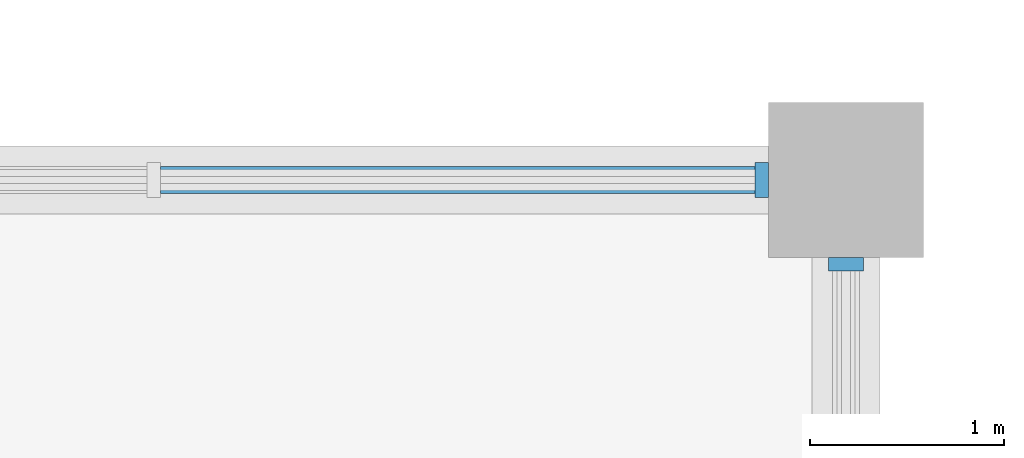
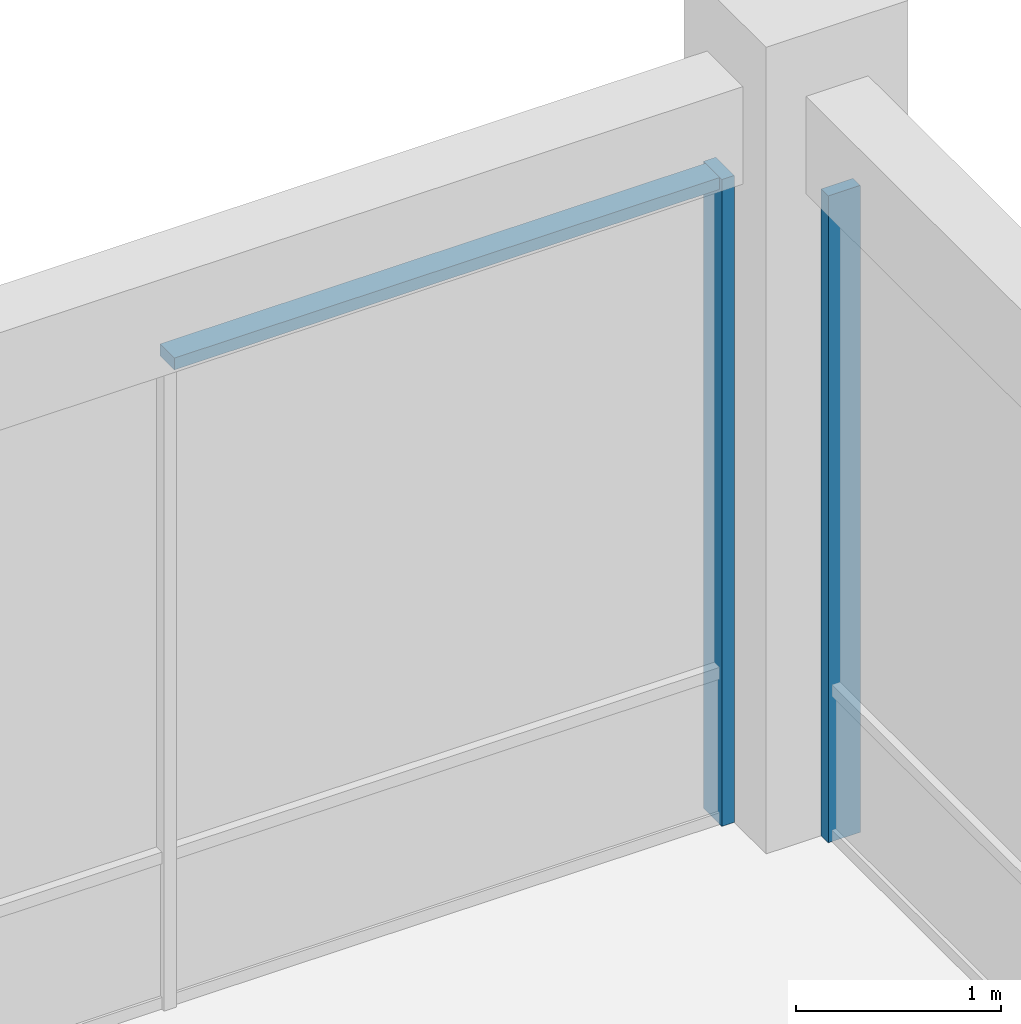
# One storey, part 33 of 75: 3 members, 2 elements without a shape of their own.
"""IFC4 building model written with IfcOpenShell, lengths in metres."""

import ifcopenshell
import ifcopenshell.guid

model = None  # the IFC model being written
_history = None  # IfcOwnerHistory: only IFC2X3 demands one
_inside = {}  # id of a spatial element -> (the spatial element, [elements in it])
_under = {}  # id of a project, library or spatial element -> (it, [spatial elements below it])
_declared = {}  # id of a project -> (the project, [libraries it declares])
_typed = {}  # id of a type object -> (the type object, [elements of that type])
_made_of = {}  # id of a material, layer set ... -> (it, [elements and type objects made of it])


def new_model(schema):
    """Start an empty IFC model of exactly this schema.

    Asked for "IFC4X3", IfcOpenShell would pick the latest addendum, in which some entities
    have other attributes; the version numbers below select the first issue.
    IFC2X3 requires an IfcOwnerHistory on every rooted entity: one is made here for all.
    """
    global model, _history
    if schema == "IFC4X3":
        model = ifcopenshell.file(schema_version=(4, 3, 0, 0))
    else:
        model = ifcopenshell.file(schema=schema)
    _inside.clear()
    _under.clear()
    _declared.clear()
    _typed.clear()
    _made_of.clear()
    _history = None
    if model.schema == "IFC2X3":
        org = make("IfcOrganization", Name="unknown")
        user = make(
            "IfcPersonAndOrganization",
            ThePerson=make("IfcPerson", FamilyName="unknown"),
            TheOrganization=org,
        )
        app = make(
            "IfcApplication",
            ApplicationDeveloper=org,
            Version="unknown",
            ApplicationFullName="unknown",
            ApplicationIdentifier="unknown",
        )
        _history = make(
            "IfcOwnerHistory",
            OwningUser=user,
            OwningApplication=app,
            ChangeAction="ADDED",
            CreationDate=0,
        )
    return model


def make(cls, **values):
    """One entity of the class cls with the attributes given. An attribute that is None is left unset."""
    return model.create_entity(
        cls, **{name: value for name, value in values.items() if value is not None}
    )


def rooted(cls, **values):
    """An entity with a GlobalId (a new one), such as an element, a storey or a relation."""
    return make(cls, GlobalId=ifcopenshell.guid.new(), OwnerHistory=_history, **values)


def si_unit(unit_type, name, prefix=None):
    """IfcSIUnit, for example si_unit("LENGTHUNIT", "METRE", prefix="MILLI")."""
    return make("IfcSIUnit", UnitType=unit_type, Prefix=prefix, Name=name)


def assignment(units):
    """IfcUnitAssignment: the units of a project."""
    return None if units is None else make("IfcUnitAssignment", Units=units)


def point(xyz):
    """IfcCartesianPoint."""
    return None if xyz is None else make("IfcCartesianPoint", Coordinates=xyz)


def direction(xyz):
    """IfcDirection."""
    return None if xyz is None else make("IfcDirection", DirectionRatios=xyz)


def frame(location, z_axis=None, x_axis=None):
    """IfcAxis2Placement3D, a coordinate frame: its origin and axes. An axis left out is left unset."""
    return make(
        "IfcAxis2Placement3D",
        Location=point(location),
        Axis=direction(z_axis),
        RefDirection=direction(x_axis),
    )


def frame_2d(location, x_axis=None):
    """IfcAxis2Placement2D, a coordinate frame in the plane: its origin and x axis."""
    return make(
        "IfcAxis2Placement2D", Location=point(location), RefDirection=direction(x_axis)
    )


def origin():
    """The frame at (0, 0, 0) with its axes left unset."""
    return frame((0.0, 0.0, 0.0))


def origin_2d():
    """The frame at (0, 0) in the plane with its x axis left unset."""
    return frame_2d((0.0, 0.0))


def place(relative_to, where):
    """IfcLocalPlacement: puts the frame where relative to a parent placement (None: the world)."""
    return make(
        "IfcLocalPlacement", PlacementRelTo=relative_to, RelativePlacement=where
    )


def context(
    kind, dimensions, precision=None, world=None, true_north=None, identifier=None
):
    """IfcGeometricRepresentationContext, for example the 3D "Model" context."""
    return make(
        "IfcGeometricRepresentationContext",
        ContextIdentifier=identifier,
        ContextType=kind,
        CoordinateSpaceDimension=dimensions,
        Precision=precision,
        WorldCoordinateSystem=world,
        TrueNorth=true_north,
    )


def subcontext(parent, identifier, kind, view, scale=None):
    """IfcGeometricRepresentationSubContext, for example "Body" below "Model"."""
    return make(
        "IfcGeometricRepresentationSubContext",
        ContextIdentifier=identifier,
        ContextType=kind,
        ParentContext=parent,
        TargetScale=scale,
        TargetView=view,
    )


def project(units=None, contexts=None):
    """IfcProject with its units and contexts."""
    return rooted(
        "IfcProject",
        Name="project",
        RepresentationContexts=contexts,
        UnitsInContext=assignment(units),
    )


def spatial(cls, under=None, at=None, **own):
    """A site, building, storey or space (cls), placed at a placement, below another one or the project."""
    s = rooted(cls, ObjectPlacement=at, **own)
    if under is not None:
        _under.setdefault(under.id(), (under, []))[1].append(s)
    return s


def profile(cls, at=None, kind="AREA", **sizes):
    """A parametric profile (cls). Its sizes go by their IFC names, for example OverallWidth=200.0."""
    return make(cls, ProfileType=kind, Position=at, **sizes)


def rectangle(**sizes):
    """IfcRectangleProfileDef."""
    return profile("IfcRectangleProfileDef", **sizes)


def extrude(swept, where, along, depth):
    """IfcExtrudedAreaSolid: the profile swept, set in the frame where, extruded along a direction by depth."""
    return make(
        "IfcExtrudedAreaSolid",
        SweptArea=swept,
        Position=where,
        ExtrudedDirection=direction(along),
        Depth=depth,
    )


def shape(context_of_items, identifier, shape_type, items):
    """IfcShapeRepresentation: the items that make up one representation, for example the "Body"."""
    return make(
        "IfcShapeRepresentation",
        ContextOfItems=context_of_items,
        RepresentationIdentifier=identifier,
        RepresentationType=shape_type,
        Items=items,
    )


def material(Name=None, Category=None):
    """IfcMaterial."""
    return make("IfcMaterial", Name=Name, Category=Category)


def layer(
    of_material, thickness, ventilated=None, Name=None, Category=None, Priority=None
):
    """IfcMaterialLayer: one layer of a wall or slab, of a material (None: an air gap)."""
    return make(
        "IfcMaterialLayer",
        Material=of_material,
        LayerThickness=thickness,
        IsVentilated=ventilated,
        Name=Name,
        Category=Category,
        Priority=Priority,
    )


def layer_set(layers, Name=None):
    """IfcMaterialLayerSet."""
    return make("IfcMaterialLayerSet", MaterialLayers=layers, LayerSetName=Name)


def material_profile(
    of_material, cross_section, Name=None, Category=None, Priority=None
):
    """IfcMaterialProfile: a cross section and its material."""
    return make(
        "IfcMaterialProfile",
        Name=Name,
        Material=of_material,
        Profile=cross_section,
        Priority=Priority,
        Category=Category,
    )


def profile_set(profiles, Name=None, composite=None):
    """IfcMaterialProfileSet."""
    return make(
        "IfcMaterialProfileSet",
        Name=Name,
        MaterialProfiles=profiles,
        CompositeProfile=composite,
    )


def made_of(thing, what):
    """Note that an element or type object is made of a material, layer set ...; save() writes the relation."""
    if what is not None:
        _made_of.setdefault(what.id(), (what, []))[1].append(thing)
    return thing


def type_object(cls, material=None, **own):
    """A type object (cls), such as IfcWallType, which elements share."""
    return made_of(rooted(cls, **own), material)


def element(
    cls,
    number,
    at=None,
    inside=None,
    cuts=None,
    type_object=None,
    material=None,
    context=None,
    identifier="Body",
    shape_type=None,
    held_by="IfcProductDefinitionShape",
    body=None,
    shapes=None,
    **own,
):
    """One element of the class cls, such as IfcWall. Its Tag is "e" and its number.

    at: its placement. inside: the storey or other place that contains it. cuts: it is an
    opening in that element (IfcRelVoidsElement). A single representation is given by context,
    identifier, shape_type and body (its items); several are given by shapes. held_by: the class
    of the entity that holds the representations. save() writes the other relations.
    """
    e = rooted(cls, Tag="e%d" % number, ObjectPlacement=at, **own)
    if body is not None:
        shapes = [shape(context, identifier, shape_type, body)]
    if shapes is not None:
        e.Representation = make(held_by, Representations=shapes)
    if inside is not None:
        _inside.setdefault(inside.id(), (inside, []))[1].append(e)
    if cuts is not None:
        rooted(
            "IfcRelVoidsElement", RelatingBuildingElement=cuts, RelatedOpeningElement=e
        )
    if type_object is not None:
        _typed.setdefault(type_object.id(), (type_object, []))[1].append(e)
    return made_of(e, material)


def aggregate(whole, parts):
    """IfcRelAggregates: a whole, such as a stair, and the parts it consists of."""
    return rooted("IfcRelAggregates", RelatingObject=whole, RelatedObjects=parts)


def save(model, path):
    """Write the relations noted so far, then the file.

    IfcRelAggregates (storeys below a building ...), IfcRelContainedInSpatialStructure (elements
    in a storey), IfcRelDefinesByType, IfcRelAssociatesMaterial and IfcRelDeclares: one each for
    every whole, place, type object, material and project.
    """
    for whole, parts in _under.values():
        aggregate(whole, parts)
    for where, things in _inside.values():
        rooted(
            "IfcRelContainedInSpatialStructure",
            RelatedElements=things,
            RelatingStructure=where,
        )
    for kind, things in _typed.values():
        rooted("IfcRelDefinesByType", RelatedObjects=things, RelatingType=kind)
    for what, things in _made_of.values():
        rooted("IfcRelAssociatesMaterial", RelatedObjects=things, RelatingMaterial=what)
    for by, libraries in _declared.values():
        rooted("IfcRelDeclares", RelatingContext=by, RelatedDefinitions=libraries)
    model.write(path)


model = new_model("IFC4")

# Units and contexts
model_context = context("Model", 3, precision=1e-05, world=origin(), true_north=direction((0.0, 1.0)))
body_context = subcontext(model_context, "Body", "Model", "MODEL_VIEW")
ifc_project = project(units=[si_unit("LENGTHUNIT", "METRE"), si_unit("AREAUNIT", "SQUARE_METRE"), si_unit("VOLUMEUNIT", "CUBIC_METRE"), si_unit("PLANEANGLEUNIT", "RADIAN"), si_unit("MASSUNIT", "GRAM", prefix="KILO")], contexts=[model_context])

# Site, building, storey
site_placement = place(None, origin())
site = spatial("IfcSite", under=ifc_project, at=site_placement, CompositionType="ELEMENT")
building_placement = place(site_placement, origin())
building = spatial("IfcBuilding", under=site, at=building_placement, Name="Cendaluz Park School", CompositionType="ELEMENT")
storey_placement = place(building_placement, frame((0.0, 0.0, 4.800048828125)))
storey = spatial("IfcBuildingStorey", under=building, at=storey_placement, Name="L01", CompositionType="ELEMENT", Elevation=4.800048828125)

# Curtain wall, member
ifc_material = material(Name="Anodised Aluminium 6063-T6", Category="aluminium")
ifc_layer_1 = layer(ifc_material, 0.179931640625)
ifc_layer_set_1 = layer_set([ifc_layer_1], Name="Anodised Aluminium 6063-T6")
curtain_wall_type_1 = type_object("IfcCurtainWallType", Name="CW-127x77", PredefinedType="NOTDEFINED", material=ifc_layer_set_1)
curtain_wall_1_placement = place(storey_placement, origin())
curtain_wall_1 = element("IfcCurtainWall", 1, at=curtain_wall_1_placement, inside=storey, type_object=curtain_wall_type_1, Name="CW-L01-081", PredefinedType="NOTDEFINED")
ifc_material_profile_1 = material_profile(ifc_material, rectangle(XDim=0.179931640625, YDim=0.070068359375, at=origin_2d()), Name="CWM 180x70", Category="aluminium")
ifc_profile_set_1 = profile_set([ifc_material_profile_1], Name="Anodised Aluminium 6063-T6")
member_type_1 = type_object("IfcMemberType", Name="CWM-01", PredefinedType="MULLION", material=ifc_profile_set_1)
member_1_placement = place(storey_placement, frame((172.364990234375, 28.800048828125, 0.0), z_axis=(0.0, 0.0, 1.0), x_axis=(0.0, 1.0, 0.0)))
member_1 = element("IfcMember", 2, at=member_1_placement, type_object=member_type_1, Name="CP-L01-1043", PredefinedType="MULLION", context=body_context, shape_type="SweptSolid", body=[
    extrude(rectangle(XDim=0.179931640625, YDim=0.070068359375, at=origin_2d()), origin(), (0.0, 0.0, 1.0), 3.849853515625),
])

ifc_layer_2 = layer(ifc_material, 0.179931640625)
ifc_layer_set_2 = layer_set([ifc_layer_2], Name="Anodised Aluminium 6063-T6")
curtain_wall_type_2 = type_object("IfcCurtainWallType", Name="CW-128x77", PredefinedType="NOTDEFINED", material=ifc_layer_set_2)
curtain_wall_2_placement = place(storey_placement, origin())
curtain_wall_2 = element("IfcCurtainWall", 3, at=curtain_wall_2_placement, inside=storey, type_object=curtain_wall_type_2, Name="CW-L01-082", PredefinedType="NOTDEFINED")
member_2_placement = place(storey_placement, frame((172.800048828125, 28.364990234375, 0.0), z_axis=(0.0, 0.0, 1.0), x_axis=(-1.0, 0.0, 0.0)))
member_2 = element("IfcMember", 4, at=member_2_placement, type_object=member_type_1, Name="CP-L01-1056", PredefinedType="MULLION", context=body_context, shape_type="SweptSolid", body=[
    extrude(rectangle(XDim=0.179931640625, YDim=0.070068359375, at=origin_2d()), origin(), (0.0, 0.0, 1.0), 3.849853515625),
])
aggregate(curtain_wall_2, [member_2])

# Member
ifc_material_profile_2 = material_profile(ifc_material, rectangle(XDim=0.139892578125, YDim=0.070068359375, at=origin_2d()), Name="CWT 140x70", Category="aluminium")
ifc_profile_set_2 = profile_set([ifc_material_profile_2], Name="Anodised Aluminium 6063-T6")
member_type_2 = type_object("IfcMemberType", Name="CWT-01", PredefinedType="USERDEFINED", material=ifc_profile_set_2)
member_3_placement = place(storey_placement, frame((169.260009765625, 28.800048828125, 3.81494140625), z_axis=(1.0, 0.0, 0.0), x_axis=(0.0, 1.0, 0.0)))
member_3 = element("IfcMember", 5, at=member_3_placement, type_object=member_type_2, Name="CP-L01-1051", ObjectType="TRANSOM", PredefinedType="USERDEFINED", context=body_context, shape_type="SweptSolid", body=[
    extrude(rectangle(XDim=0.139892578125, YDim=0.070068359375, at=origin_2d()), origin(), (0.0, 0.0, 1.0), 3.070068359375),
])

aggregate(curtain_wall_1, [member_1, member_3])

save(model, "model.ifc")
